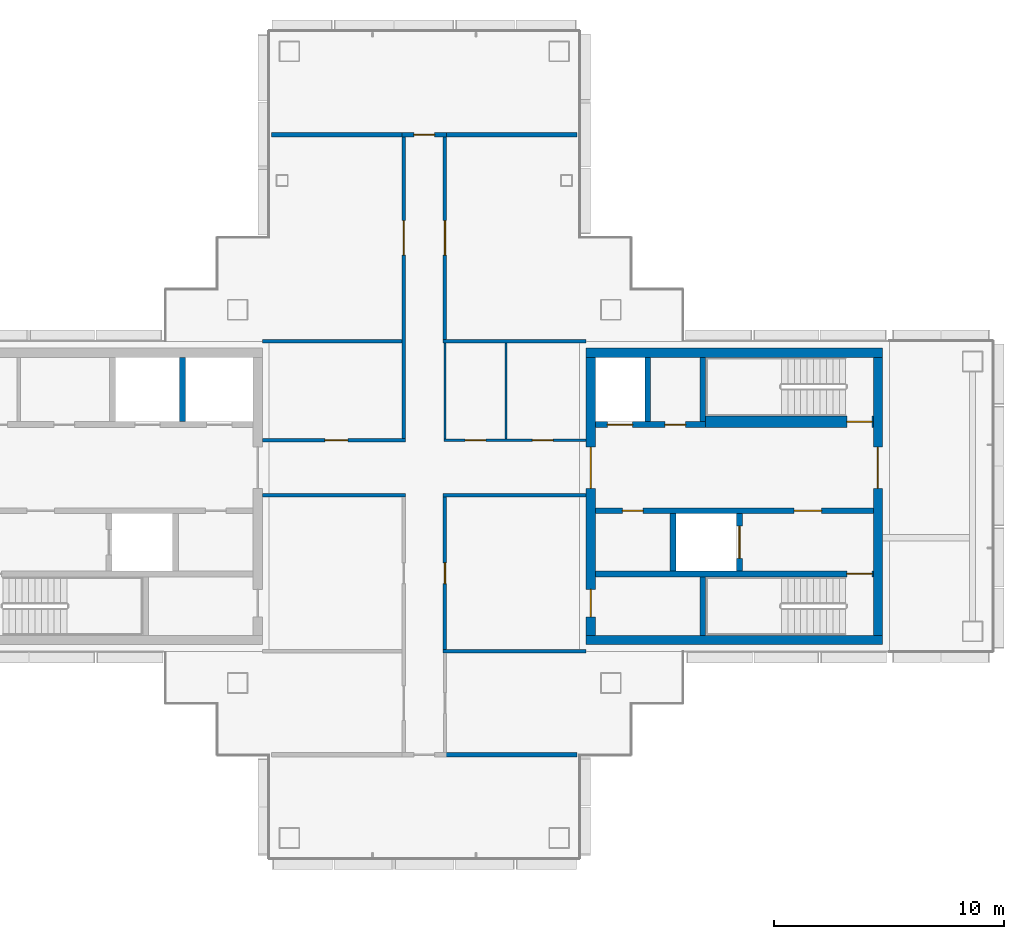
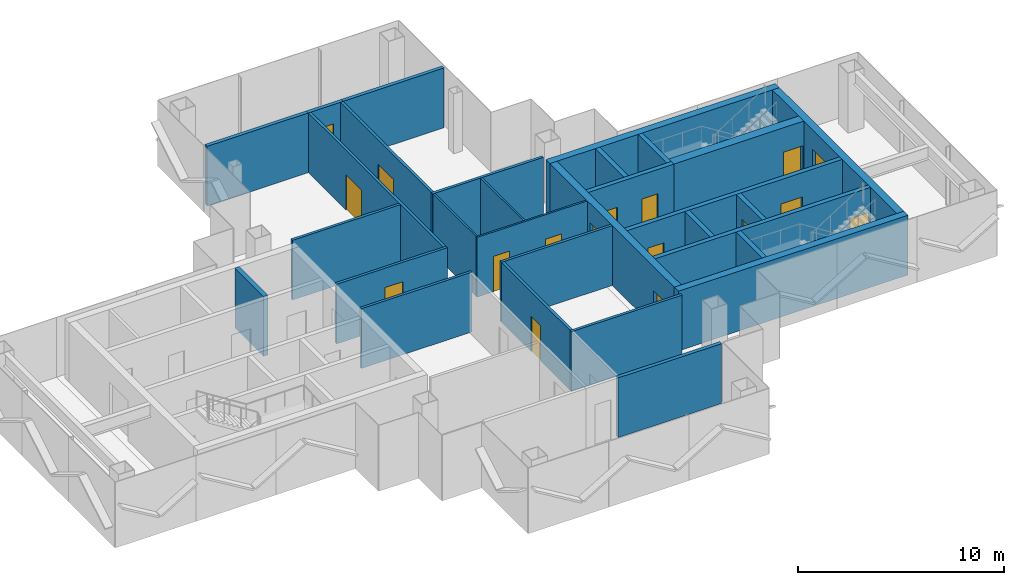
# One storey, part 12 of 17: 30 walls, 17 doors, 17 openings.
"""IFC4 building model written with IfcOpenShell, lengths in metres."""

import ifcopenshell
import ifcopenshell.guid

model = None  # the IFC model being written
_history = None  # IfcOwnerHistory: only IFC2X3 demands one
_inside = {}  # id of a spatial element -> (the spatial element, [elements in it])
_under = {}  # id of a project, library or spatial element -> (it, [spatial elements below it])
_declared = {}  # id of a project -> (the project, [libraries it declares])
_typed = {}  # id of a type object -> (the type object, [elements of that type])
_made_of = {}  # id of a material, layer set ... -> (it, [elements and type objects made of it])


def new_model(schema):
    """Start an empty IFC model of exactly this schema.

    Asked for "IFC4X3", IfcOpenShell would pick the latest addendum, in which some entities
    have other attributes; the version numbers below select the first issue.
    IFC2X3 requires an IfcOwnerHistory on every rooted entity: one is made here for all.
    """
    global model, _history
    if schema == "IFC4X3":
        model = ifcopenshell.file(schema_version=(4, 3, 0, 0))
    else:
        model = ifcopenshell.file(schema=schema)
    _inside.clear()
    _under.clear()
    _declared.clear()
    _typed.clear()
    _made_of.clear()
    _history = None
    if model.schema == "IFC2X3":
        org = make("IfcOrganization", Name="unknown")
        user = make(
            "IfcPersonAndOrganization",
            ThePerson=make("IfcPerson", FamilyName="unknown"),
            TheOrganization=org,
        )
        app = make(
            "IfcApplication",
            ApplicationDeveloper=org,
            Version="unknown",
            ApplicationFullName="unknown",
            ApplicationIdentifier="unknown",
        )
        _history = make(
            "IfcOwnerHistory",
            OwningUser=user,
            OwningApplication=app,
            ChangeAction="ADDED",
            CreationDate=0,
        )
    return model


def make(cls, **values):
    """One entity of the class cls with the attributes given. An attribute that is None is left unset."""
    return model.create_entity(
        cls, **{name: value for name, value in values.items() if value is not None}
    )


def rooted(cls, **values):
    """An entity with a GlobalId (a new one), such as an element, a storey or a relation."""
    return make(cls, GlobalId=ifcopenshell.guid.new(), OwnerHistory=_history, **values)


def si_unit(unit_type, name, prefix=None):
    """IfcSIUnit, for example si_unit("LENGTHUNIT", "METRE", prefix="MILLI")."""
    return make("IfcSIUnit", UnitType=unit_type, Prefix=prefix, Name=name)


def assignment(units):
    """IfcUnitAssignment: the units of a project."""
    return None if units is None else make("IfcUnitAssignment", Units=units)


def point(xyz):
    """IfcCartesianPoint."""
    return None if xyz is None else make("IfcCartesianPoint", Coordinates=xyz)


def direction(xyz):
    """IfcDirection."""
    return None if xyz is None else make("IfcDirection", DirectionRatios=xyz)


def frame(location, z_axis=None, x_axis=None):
    """IfcAxis2Placement3D, a coordinate frame: its origin and axes. An axis left out is left unset."""
    return make(
        "IfcAxis2Placement3D",
        Location=point(location),
        Axis=direction(z_axis),
        RefDirection=direction(x_axis),
    )


def frame_2d(location, x_axis=None):
    """IfcAxis2Placement2D, a coordinate frame in the plane: its origin and x axis."""
    return make(
        "IfcAxis2Placement2D", Location=point(location), RefDirection=direction(x_axis)
    )


def origin():
    """The frame at (0, 0, 0) with its axes left unset."""
    return frame((0.0, 0.0, 0.0))


def place(relative_to, where):
    """IfcLocalPlacement: puts the frame where relative to a parent placement (None: the world)."""
    return make(
        "IfcLocalPlacement", PlacementRelTo=relative_to, RelativePlacement=where
    )


def context(
    kind, dimensions, precision=None, world=None, true_north=None, identifier=None
):
    """IfcGeometricRepresentationContext, for example the 3D "Model" context."""
    return make(
        "IfcGeometricRepresentationContext",
        ContextIdentifier=identifier,
        ContextType=kind,
        CoordinateSpaceDimension=dimensions,
        Precision=precision,
        WorldCoordinateSystem=world,
        TrueNorth=true_north,
    )


def subcontext(parent, identifier, kind, view, scale=None):
    """IfcGeometricRepresentationSubContext, for example "Body" below "Model"."""
    return make(
        "IfcGeometricRepresentationSubContext",
        ContextIdentifier=identifier,
        ContextType=kind,
        ParentContext=parent,
        TargetScale=scale,
        TargetView=view,
    )


def project(units=None, contexts=None):
    """IfcProject with its units and contexts."""
    return rooted(
        "IfcProject",
        Name="project",
        RepresentationContexts=contexts,
        UnitsInContext=assignment(units),
    )


def spatial(cls, under=None, at=None, **own):
    """A site, building, storey or space (cls), placed at a placement, below another one or the project."""
    s = rooted(cls, ObjectPlacement=at, **own)
    if under is not None:
        _under.setdefault(under.id(), (under, []))[1].append(s)
    return s


def profile(cls, at=None, kind="AREA", **sizes):
    """A parametric profile (cls). Its sizes go by their IFC names, for example OverallWidth=200.0."""
    return make(cls, ProfileType=kind, Position=at, **sizes)


def rectangle(**sizes):
    """IfcRectangleProfileDef."""
    return profile("IfcRectangleProfileDef", **sizes)


def extrude(swept, where, along, depth):
    """IfcExtrudedAreaSolid: the profile swept, set in the frame where, extruded along a direction by depth."""
    return make(
        "IfcExtrudedAreaSolid",
        SweptArea=swept,
        Position=where,
        ExtrudedDirection=direction(along),
        Depth=depth,
    )


def shape(context_of_items, identifier, shape_type, items):
    """IfcShapeRepresentation: the items that make up one representation, for example the "Body"."""
    return make(
        "IfcShapeRepresentation",
        ContextOfItems=context_of_items,
        RepresentationIdentifier=identifier,
        RepresentationType=shape_type,
        Items=items,
    )


def material(Name=None, Category=None):
    """IfcMaterial."""
    return make("IfcMaterial", Name=Name, Category=Category)


def layer(
    of_material, thickness, ventilated=None, Name=None, Category=None, Priority=None
):
    """IfcMaterialLayer: one layer of a wall or slab, of a material (None: an air gap)."""
    return make(
        "IfcMaterialLayer",
        Material=of_material,
        LayerThickness=thickness,
        IsVentilated=ventilated,
        Name=Name,
        Category=Category,
        Priority=Priority,
    )


def layer_set(layers, Name=None):
    """IfcMaterialLayerSet."""
    return make("IfcMaterialLayerSet", MaterialLayers=layers, LayerSetName=Name)


def made_of(thing, what):
    """Note that an element or type object is made of a material, layer set ...; save() writes the relation."""
    if what is not None:
        _made_of.setdefault(what.id(), (what, []))[1].append(thing)
    return thing


def type_object(cls, material=None, **own):
    """A type object (cls), such as IfcWallType, which elements share."""
    return made_of(rooted(cls, **own), material)


def element(
    cls,
    number,
    at=None,
    inside=None,
    cuts=None,
    type_object=None,
    material=None,
    context=None,
    identifier="Body",
    shape_type=None,
    held_by="IfcProductDefinitionShape",
    body=None,
    shapes=None,
    **own,
):
    """One element of the class cls, such as IfcWall. Its Tag is "e" and its number.

    at: its placement. inside: the storey or other place that contains it. cuts: it is an
    opening in that element (IfcRelVoidsElement). A single representation is given by context,
    identifier, shape_type and body (its items); several are given by shapes. held_by: the class
    of the entity that holds the representations. save() writes the other relations.
    """
    e = rooted(cls, Tag="e%d" % number, ObjectPlacement=at, **own)
    if body is not None:
        shapes = [shape(context, identifier, shape_type, body)]
    if shapes is not None:
        e.Representation = make(held_by, Representations=shapes)
    if inside is not None:
        _inside.setdefault(inside.id(), (inside, []))[1].append(e)
    if cuts is not None:
        rooted(
            "IfcRelVoidsElement", RelatingBuildingElement=cuts, RelatedOpeningElement=e
        )
    if type_object is not None:
        _typed.setdefault(type_object.id(), (type_object, []))[1].append(e)
    return made_of(e, material)


def fill(opening, filler):
    """IfcRelFillsElement: the door or window that sits in an opening."""
    return rooted(
        "IfcRelFillsElement",
        RelatingOpeningElement=opening,
        RelatedBuildingElement=filler,
    )


def aggregate(whole, parts):
    """IfcRelAggregates: a whole, such as a stair, and the parts it consists of."""
    return rooted("IfcRelAggregates", RelatingObject=whole, RelatedObjects=parts)


def save(model, path):
    """Write the relations noted so far, then the file.

    IfcRelAggregates (storeys below a building ...), IfcRelContainedInSpatialStructure (elements
    in a storey), IfcRelDefinesByType, IfcRelAssociatesMaterial and IfcRelDeclares: one each for
    every whole, place, type object, material and project.
    """
    for whole, parts in _under.values():
        aggregate(whole, parts)
    for where, things in _inside.values():
        rooted(
            "IfcRelContainedInSpatialStructure",
            RelatedElements=things,
            RelatingStructure=where,
        )
    for kind, things in _typed.values():
        rooted("IfcRelDefinesByType", RelatedObjects=things, RelatingType=kind)
    for what, things in _made_of.values():
        rooted("IfcRelAssociatesMaterial", RelatedObjects=things, RelatingMaterial=what)
    for by, libraries in _declared.values():
        rooted("IfcRelDeclares", RelatingContext=by, RelatedDefinitions=libraries)
    model.write(path)


model = new_model("IFC4")

# Units and contexts
model_context = context("Model", 3, precision=1e-05, world=origin(), true_north=direction((0.0, 1.0)))
body_context = subcontext(model_context, "Body", "Model", "MODEL_VIEW")
ifc_project = project(units=[si_unit("LENGTHUNIT", "METRE"), si_unit("AREAUNIT", "SQUARE_METRE"), si_unit("VOLUMEUNIT", "CUBIC_METRE"), si_unit("PLANEANGLEUNIT", "RADIAN"), si_unit("MASSUNIT", "GRAM", prefix="KILO")], contexts=[model_context])

# Site, building, storey
site_placement = place(None, origin())
site = spatial("IfcSite", under=ifc_project, at=site_placement, CompositionType="ELEMENT")
building_placement = place(site_placement, origin())
building = spatial("IfcBuilding", under=site, at=building_placement, Name="Shamsa Quay Exchange Towers", CompositionType="ELEMENT")
storey_placement = place(building_placement, frame((0.0, 0.0, 249.89990234375)))
storey = spatial("IfcBuildingStorey", under=building, at=storey_placement, Name="L60", CompositionType="ELEMENT", Elevation=249.89990234375)

# Wall, opening, door
ifc_material_1 = material(Name="Double-leaf gypsum board partition with acoustic insulation")
ifc_layer_1 = layer(ifc_material_1, 0.199951171875)
ifc_layer_set_1 = layer_set([ifc_layer_1], Name="Acoustic partition 200 mm EI 60")
wall_type_1 = type_object("IfcWallType", Name="Acoustic partition 200 mm EI 60", PredefinedType="PARTITIONING", material=ifc_layer_set_1)
wall_1_placement = place(storey_placement, frame((32.774658203125, 15.75, 0.0)))
wall_1 = element("IfcWall", 1, at=wall_1_placement, inside=storey, type_object=wall_type_1, Name="Partition T2-R27-W10", PredefinedType="PARTITIONING", context=body_context, shape_type="SweptSolid", body=[
    extrude(rectangle(XDim=1.95068359375, YDim=0.199951171875, at=frame_2d((0.975341796875, 0.0))), origin(), (0.0, 0.0, 1.0), 3.550048828125),
])
opening_1_placement = place(wall_1_placement, frame((0.525390625, 0.0, 0.0)))
opening_1 = element("IfcOpeningElement", 2, at=opening_1_placement, cuts=wall_1, Name="Opening T2-R27-D06", PredefinedType="OPENING", context=body_context, shape_type="SweptSolid", body=[
    extrude(rectangle(XDim=0.89990234375, YDim=2.39990234375, at=frame_2d((0.449951171875, 1.199951171875))), frame((0.0, 0.10986328125, 0.0), z_axis=(0.0, -1.0, 0.0), x_axis=(1.0, 0.0, 0.0)), (0.0, 0.0, 1.0), 0.219970703125),
])
ifc_material_2 = material(Name="Timber door leaf in a metal frame", Category="wood")
door_type_1 = type_object("IfcDoorType", Name="Door 900x2400 FD30S", OperationType="NOTDEFINED", PredefinedType="DOOR", material=ifc_material_2)
door_1_placement = place(opening_1_placement, origin())
door_1 = element("IfcDoor", 3, at=door_1_placement, inside=storey, type_object=door_type_1, Name="Door T2-R27-D06", OperationType="SINGLE_SWING_RIGHT", OverallHeight=2.39990234375, OverallWidth=0.89990234375, PredefinedType="DOOR", context=body_context, shape_type="SweptSolid", body=[
    extrude(rectangle(XDim=0.89990234375, YDim=2.39990234375, at=frame_2d((0.449951171875, 1.199951171875))), frame((0.0, 0.02490234375, 0.0), z_axis=(0.0, -1.0, 0.0), x_axis=(1.0, 0.0, 0.0)), (0.0, 0.0, 1.0), 0.050048828125),
])
fill(opening_1, door_1)

# Walls
for number, where, z_axis, x_axis, name in (
    (4, (32.924560546875, 15.75, 0.0), (0.0, 0.0, 1.0), (-1.0, 0.0, 0.0), "Partition T2-R27-W18"),
    (5, (40.405029296875, 15.75, 0.0), (0.0, 0.0, 1.0), (-1.0, 0.0, 0.0), "Partition T2-R27-W19"),
):
    element("IfcWall", number, at=place(storey_placement, frame(where, z_axis=z_axis, x_axis=x_axis)), inside=storey, type_object=wall_type_1, Name=name, PredefinedType="PARTITIONING", context=body_context, shape_type="SweptSolid", body=[
        extrude(rectangle(XDim=5.82958984375, YDim=0.199951171875, at=frame_2d((2.914794921875, 0.0))), origin(), (0.0, 0.0, 1.0), 3.550048828125),
    ])
wall_2_placement = place(storey_placement, frame((34.587890625, -11.25, 0.0)))
element("IfcWall", 6, at=wall_2_placement, inside=storey, type_object=wall_type_1, Name="Partition T2-R27-W20", PredefinedType="PARTITIONING", context=body_context, shape_type="SweptSolid", body=[
    extrude(rectangle(XDim=5.817138671875, YDim=0.199951171875, at=frame_2d((2.90869140625, 0.0))), origin(), (0.0, 0.0, 1.0), 3.550048828125),
])
ifc_material_3 = material(Name="Concrete C60/75", Category="concrete")
ifc_layer_2 = layer(ifc_material_3, 0.39990234375)
ifc_layer_set_2 = layer_set([ifc_layer_2], Name="CORE WALL 400 C60/75")
wall_type_2 = type_object("IfcWallType", Name="CORE WALL 400 C60/75", PredefinedType="SHEAR", material=ifc_layer_set_2)
for number, where, z_axis, x_axis, name in (
    (7, (53.699951171875, -6.25, 0.0), (0.0, 0.0, 1.0), (-1.0, 0.0, 0.0), "Core wall T2B-R27-PS"),
    (8, (53.699951171875, 6.25, 0.0), (0.0, 0.0, 1.0), (-1.0, 0.0, 0.0), "Core wall T2B-R27-PN"),
):
    element("IfcWall", number, at=place(storey_placement, frame(where, z_axis=z_axis, x_axis=x_axis)), inside=storey, type_object=wall_type_2, Name=name, PredefinedType="SHEAR", context=body_context, shape_type="SweptSolid", body=[
        extrude(rectangle(XDim=12.89990234375, YDim=0.39990234375, at=frame_2d((6.449951171875, 0.0))), origin(), (0.0, 0.0, 1.0), 3.550048828125),
    ])

# Wall, opening, door
wall_3_placement = place(storey_placement, frame((53.5, -6.050048828125, 0.0), z_axis=(0.0, 0.0, 1.0), x_axis=(0.0, 1.0, 0.0)))
wall_3 = element("IfcWall", 9, at=wall_3_placement, inside=storey, type_object=wall_type_2, Name="Core wall T2B-R27-PF", PredefinedType="SHEAR", context=body_context, shape_type="SweptSolid", body=[
    extrude(rectangle(XDim=12.10009765625, YDim=0.39990234375, at=frame_2d((6.050048828125, 0.0))), origin(), (0.0, 0.0, 1.0), 3.550048828125),
])
opening_2_placement = place(wall_3_placement, frame((6.39990234375, 0.0, 0.0)))
opening_2 = element("IfcOpeningElement", 10, at=opening_2_placement, cuts=wall_3, Name="Opening T2B-R27-LBD01", PredefinedType="OPENING", context=body_context, shape_type="SweptSolid", body=[
    extrude(rectangle(XDim=1.800048828125, YDim=2.39990234375, at=frame_2d((0.89990234375, 1.199951171875))), frame((0.0, 0.2099609375, 0.0), z_axis=(0.0, -1.0, 0.0), x_axis=(1.0, 0.0, 0.0)), (0.0, 0.0, 1.0), 0.419921875),
])
ifc_material_4 = material(Name="Steel, fire rated", Category="steel")
door_type_2 = type_object("IfcDoorType", Name="LIFT LOBBY DOOR PAIR 1800", OperationType="DOUBLE_DOOR_SINGLE_SWING", PredefinedType="DOOR", material=ifc_material_4)
door_2_placement = place(opening_2_placement, origin())
door_2 = element("IfcDoor", 11, at=door_2_placement, inside=storey, type_object=door_type_2, Name="T2B-R27-LBD01", OperationType="DOUBLE_DOOR_SINGLE_SWING", OverallHeight=2.39990234375, OverallWidth=1.800048828125, PredefinedType="DOOR", context=body_context, shape_type="SweptSolid", body=[
    extrude(rectangle(XDim=1.800048828125, YDim=2.39990234375, at=frame_2d((0.89990234375, 1.199951171875))), frame((0.0, 0.02490234375, 0.0), z_axis=(0.0, -1.0, 0.0), x_axis=(1.0, 0.0, 0.0)), (0.0, 0.0, 1.0), 0.050048828125),
])
fill(opening_2, door_2)

# Wall, openings, doors
wall_4_placement = place(storey_placement, frame((41.0, -6.050048828125, 0.0), z_axis=(0.0, 0.0, 1.0), x_axis=(0.0, 1.0, 0.0)))
wall_4 = element("IfcWall", 12, at=wall_4_placement, inside=storey, type_object=wall_type_2, Name="Core wall T2B-R27-PB", PredefinedType="SHEAR", context=body_context, shape_type="SweptSolid", body=[
    extrude(rectangle(XDim=12.10009765625, YDim=0.39990234375, at=frame_2d((6.050048828125, 0.0))), origin(), (0.0, 0.0, 1.0), 3.550048828125),
])
opening_3_placement = place(wall_4_placement, frame((0.800048828125, 0.0, 0.0)))
opening_3 = element("IfcOpeningElement", 13, at=opening_3_placement, cuts=wall_4, Name="Opening T2B-R27-RD02", PredefinedType="OPENING", context=body_context, shape_type="SweptSolid", body=[
    extrude(rectangle(XDim=1.199951171875, YDim=2.10009765625, at=frame_2d((0.60009765625, 1.050048828125))), frame((0.0, 0.2099609375, 0.0), z_axis=(0.0, -1.0, 0.0), x_axis=(1.0, 0.0, 0.0)), (0.0, 0.0, 1.0), 0.419921875),
])
opening_4_placement = place(wall_4_placement, frame((6.39990234375, 0.0, 0.0)))
opening_4 = element("IfcOpeningElement", 14, at=opening_4_placement, cuts=wall_4, Name="Opening T2B-R27-LBD03", PredefinedType="OPENING", context=body_context, shape_type="SweptSolid", body=[
    extrude(rectangle(XDim=1.800048828125, YDim=2.39990234375, at=frame_2d((0.89990234375, 1.199951171875))), frame((0.0, 0.2099609375, 0.0), z_axis=(0.0, -1.0, 0.0), x_axis=(1.0, 0.0, 0.0)), (0.0, 0.0, 1.0), 0.419921875),
])
door_3_placement = place(opening_4_placement, origin())
door_3 = element("IfcDoor", 15, at=door_3_placement, inside=storey, type_object=door_type_2, Name="T2B-R27-LBD03", OperationType="DOUBLE_DOOR_SINGLE_SWING", OverallHeight=2.39990234375, OverallWidth=1.800048828125, PredefinedType="DOOR", context=body_context, shape_type="SweptSolid", body=[
    extrude(rectangle(XDim=1.800048828125, YDim=2.39990234375, at=frame_2d((0.89990234375, 1.199951171875))), frame((0.0, 0.02490234375, 0.0), z_axis=(0.0, -1.0, 0.0), x_axis=(1.0, 0.0, 0.0)), (0.0, 0.0, 1.0), 0.050048828125),
])
fill(opening_4, door_3)
door_type_3 = type_object("IfcDoorType", Name="RISER ACCESS DOOR 1200", OperationType="SINGLE_SWING_LEFT", PredefinedType="DOOR", material=ifc_material_4)
door_4_placement = place(opening_3_placement, origin())
door_4 = element("IfcDoor", 16, at=door_4_placement, inside=storey, type_object=door_type_3, Name="T2B-R27-RD02", OperationType="SINGLE_SWING_LEFT", OverallHeight=2.10009765625, OverallWidth=1.199951171875, PredefinedType="DOOR", context=body_context, shape_type="SweptSolid", body=[
    extrude(rectangle(XDim=1.199951171875, YDim=2.10009765625, at=frame_2d((0.60009765625, 1.050048828125))), frame((0.0, 0.02490234375, 0.0), z_axis=(0.0, -1.0, 0.0), x_axis=(1.0, 0.0, 0.0)), (0.0, 0.0, 1.0), 0.050048828125),
])
fill(opening_3, door_4)

ifc_material_5 = material(Name="Gypsum board partition on metal studs")
ifc_layer_3 = layer(ifc_material_5, 0.10009765625)
ifc_layer_set_3 = layer_set([ifc_layer_3], Name="Partition 100 mm NOT RATED")
wall_type_3 = type_object("IfcWallType", Name="Partition 100 mm NOT RATED", PredefinedType="PARTITIONING", material=ifc_layer_set_3)
wall_5_placement = place(storey_placement, frame((34.600341796875, 2.4501953125, 0.0)))
wall_5 = element("IfcWall", 17, at=wall_5_placement, inside=storey, type_object=wall_type_3, Name="Partition T2-R27-W06", PredefinedType="PARTITIONING", context=body_context, shape_type="SweptSolid", body=[
    extrude(rectangle(XDim=6.19970703125, YDim=0.10009765625, at=frame_2d((3.099853515625, 0.0))), origin(), (0.0, 0.0, 1.0), 3.550048828125),
])
opening_5_placement = place(wall_5_placement, frame((3.85595703125, 0.0, 0.0)))
opening_5 = element("IfcOpeningElement", 18, at=opening_5_placement, cuts=wall_5, Name="Opening T2-R27-D01", PredefinedType="OPENING", context=body_context, shape_type="SweptSolid", body=[
    extrude(rectangle(XDim=0.89990234375, YDim=2.10009765625, at=frame_2d((0.449951171875, 1.050048828125))), frame((0.0, 0.06005859375, 0.0), z_axis=(0.0, -1.0, 0.0), x_axis=(1.0, 0.0, 0.0)), (0.0, 0.0, 1.0), 0.1201171875),
])
opening_6_placement = place(wall_5_placement, frame((0.93115234375, 0.0, 0.0)))
opening_6 = element("IfcOpeningElement", 19, at=opening_6_placement, cuts=wall_5, Name="Opening T2-R27-D02", PredefinedType="OPENING", context=body_context, shape_type="SweptSolid", body=[
    extrude(rectangle(XDim=0.89990234375, YDim=2.10009765625, at=frame_2d((0.449951171875, 1.050048828125))), frame((0.0, 0.06005859375, 0.0), z_axis=(0.0, -1.0, 0.0), x_axis=(1.0, 0.0, 0.0)), (0.0, 0.0, 1.0), 0.1201171875),
])
door_type_4 = type_object("IfcDoorType", Name="Door 900x2100 NOT RATED", OperationType="NOTDEFINED", PredefinedType="DOOR", material=ifc_material_2)
door_5_placement = place(opening_5_placement, origin())
door_5 = element("IfcDoor", 20, at=door_5_placement, inside=storey, type_object=door_type_4, Name="Door T2-R27-D01", OperationType="SINGLE_SWING_RIGHT", OverallHeight=2.10009765625, OverallWidth=0.89990234375, PredefinedType="DOOR", context=body_context, shape_type="SweptSolid", body=[
    extrude(rectangle(XDim=0.89990234375, YDim=2.10009765625, at=frame_2d((0.449951171875, 1.050048828125))), frame((0.0, 0.02490234375, 0.0), z_axis=(0.0, -1.0, 0.0), x_axis=(1.0, 0.0, 0.0)), (0.0, 0.0, 1.0), 0.050048828125),
])
fill(opening_5, door_5)
door_6_placement = place(opening_6_placement, origin())
door_6 = element("IfcDoor", 21, at=door_6_placement, inside=storey, type_object=door_type_4, Name="Door T2-R27-D02", OperationType="SINGLE_SWING_RIGHT", OverallHeight=2.10009765625, OverallWidth=0.89990234375, PredefinedType="DOOR", context=body_context, shape_type="SweptSolid", body=[
    extrude(rectangle(XDim=0.89990234375, YDim=2.10009765625, at=frame_2d((0.449951171875, 1.050048828125))), frame((0.0, 0.02490234375, 0.0), z_axis=(0.0, -1.0, 0.0), x_axis=(1.0, 0.0, 0.0)), (0.0, 0.0, 1.0), 0.050048828125),
])
fill(opening_6, door_6)

# Walls
for number, where, z_axis, x_axis, name in (
    (22, (34.650390625, 6.675048828125, 0.0), (0.0, 0.0, 1.0), (0.0, -1.0, 0.0), "Partition T2-R27-W07"),
    (23, (37.3125, 6.675048828125, 0.0), (0.0, 0.0, 1.0), (0.0, -1.0, 0.0), "Partition T2-R27-W17"),
):
    element("IfcWall", number, at=place(storey_placement, frame(where, z_axis=z_axis, x_axis=x_axis)), inside=storey, type_object=wall_type_3, Name=name, PredefinedType="PARTITIONING", context=body_context, shape_type="SweptSolid", body=[
        extrude(rectangle(XDim=4.1748046875, YDim=0.10009765625, at=frame_2d((2.08740234375, 0.0))), origin(), (0.0, 0.0, 1.0), 3.550048828125),
    ])

# Wall, opening, door
ifc_layer_4 = layer(ifc_material_5, 0.14990234375)
ifc_layer_set_4 = layer_set([ifc_layer_4], Name="Partition 150 mm EI 60")
wall_type_4 = type_object("IfcWallType", Name="Partition 150 mm EI 60", PredefinedType="PARTITIONING", material=ifc_layer_set_4)
wall_6_placement = place(storey_placement, frame((32.849609375, 2.525146484375, 0.0), z_axis=(0.0, 0.0, 1.0), x_axis=(0.0, 1.0, 0.0)))
wall_6 = element("IfcWall", 24, at=wall_6_placement, inside=storey, type_object=wall_type_4, Name="Partition T2-R27-W01", PredefinedType="PARTITIONING", context=body_context, shape_type="SweptSolid", body=[
    extrude(rectangle(XDim=13.124755859375, YDim=0.14990234375, at=frame_2d((6.5625, 0.0))), origin(), (0.0, 0.0, 1.0), 3.550048828125),
])
opening_7_placement = place(wall_6_placement, frame((7.974853515625, 0.0, 0.0)))
opening_7 = element("IfcOpeningElement", 25, at=opening_7_placement, cuts=wall_6, Name="Opening T2-R27-D11", PredefinedType="OPENING", context=body_context, shape_type="SweptSolid", body=[
    extrude(rectangle(XDim=1.5, YDim=2.10009765625, at=frame_2d((0.75, 1.050048828125))), frame((0.0, 0.0849609375, 0.0), z_axis=(0.0, -1.0, 0.0), x_axis=(1.0, 0.0, 0.0)), (0.0, 0.0, 1.0), 0.169921875),
])
door_type_5 = type_object("IfcDoorType", Name="Door 1500x2100 FD30S pair", OperationType="NOTDEFINED", PredefinedType="DOOR", material=ifc_material_2)
door_7_placement = place(opening_7_placement, origin())
door_7 = element("IfcDoor", 26, at=door_7_placement, inside=storey, type_object=door_type_5, Name="Door T2-R27-D11", OperationType="DOUBLE_DOOR_SINGLE_SWING", OverallHeight=2.10009765625, OverallWidth=1.5, PredefinedType="DOOR", context=body_context, shape_type="SweptSolid", body=[
    extrude(rectangle(XDim=1.5, YDim=2.10009765625, at=frame_2d((0.75, 1.050048828125))), frame((0.0, 0.02490234375, 0.0), z_axis=(0.0, -1.0, 0.0), x_axis=(1.0, 0.0, 0.0)), (0.0, 0.0, 1.0), 0.050048828125),
])
fill(opening_7, door_7)

wall_7_placement = place(storey_placement, frame((26.699951171875, 2.4501953125, 0.0)))
wall_7 = element("IfcWall", 27, at=wall_7_placement, inside=storey, type_object=wall_type_4, Name="Partition T2-R27-W03", PredefinedType="PARTITIONING", context=body_context, shape_type="SweptSolid", body=[
    extrude(rectangle(XDim=6.224609375, YDim=0.14990234375, at=frame_2d((3.1123046875, 0.0))), origin(), (0.0, 0.0, 1.0), 3.550048828125),
])
opening_8_placement = place(wall_7_placement, frame((2.724853515625, 0.0, 0.0)))
opening_8 = element("IfcOpeningElement", 28, at=opening_8_placement, cuts=wall_7, Name="Opening T2-R27-D10", PredefinedType="OPENING", context=body_context, shape_type="SweptSolid", body=[
    extrude(rectangle(XDim=1.0, YDim=2.39990234375, at=frame_2d((0.5, 1.199951171875))), frame((0.0, 0.0849609375, 0.0), z_axis=(0.0, -1.0, 0.0), x_axis=(1.0, 0.0, 0.0)), (0.0, 0.0, 1.0), 0.169921875),
])
door_type_6 = type_object("IfcDoorType", Name="Door 1000x2400 FD30S", OperationType="NOTDEFINED", PredefinedType="DOOR", material=ifc_material_2)
door_8_placement = place(opening_8_placement, origin())
door_8 = element("IfcDoor", 29, at=door_8_placement, inside=storey, type_object=door_type_6, Name="Door T2-R27-D10", OperationType="SINGLE_SWING_LEFT", OverallHeight=2.39990234375, OverallWidth=1.0, PredefinedType="DOOR", context=body_context, shape_type="SweptSolid", body=[
    extrude(rectangle(XDim=1.0, YDim=2.39990234375, at=frame_2d((0.5, 1.199951171875))), frame((0.0, 0.02490234375, 0.0), z_axis=(0.0, -1.0, 0.0), x_axis=(1.0, 0.0, 0.0)), (0.0, 0.0, 1.0), 0.050048828125),
])
fill(opening_8, door_8)

# Walls
for number, where, z_axis, x_axis, name in (
    (30, (32.924560546875, 0.0498046875, 0.0), (0.0, 0.0, 1.0), (-1.0, 0.0, 0.0), "Partition T2-R27-W04"),
    (31, (40.800048828125, 0.0498046875, 0.0), (0.0, 0.0, 1.0), (-1.0, 0.0, 0.0), "Partition T2-R27-W05"),
):
    element("IfcWall", number, at=place(storey_placement, frame(where, z_axis=z_axis, x_axis=x_axis)), inside=storey, type_object=wall_type_4, Name=name, PredefinedType="PARTITIONING", context=body_context, shape_type="SweptSolid", body=[
        extrude(rectangle(XDim=6.224609375, YDim=0.14990234375, at=frame_2d((3.1123046875, 0.0))), origin(), (0.0, 0.0, 1.0), 3.550048828125),
    ])

# Wall, opening, door
wall_8_placement = place(storey_placement, frame((34.650390625, -0.025146484375, 0.0), z_axis=(0.0, 0.0, 1.0), x_axis=(0.0, -1.0, 0.0)))
wall_8 = element("IfcWall", 32, at=wall_8_placement, inside=storey, type_object=wall_type_4, Name="Partition T2-R27-W08", PredefinedType="PARTITIONING", context=body_context, shape_type="SweptSolid", body=[
    extrude(rectangle(XDim=6.64990234375, YDim=0.14990234375, at=frame_2d((3.324951171875, 0.0))), origin(), (0.0, 0.0, 1.0), 3.550048828125),
])
opening_9_placement = place(wall_8_placement, frame((2.875, 0.0, 0.0)))
opening_9 = element("IfcOpeningElement", 33, at=opening_9_placement, cuts=wall_8, Name="Opening T2-R27-D04", PredefinedType="OPENING", context=body_context, shape_type="SweptSolid", body=[
    extrude(rectangle(XDim=0.89990234375, YDim=2.10009765625, at=frame_2d((0.449951171875, 1.050048828125))), frame((0.0, 0.0849609375, 0.0), z_axis=(0.0, -1.0, 0.0), x_axis=(1.0, 0.0, 0.0)), (0.0, 0.0, 1.0), 0.169921875),
])
door_type_7 = type_object("IfcDoorType", Name="Door 900x2100 FD30S", OperationType="NOTDEFINED", PredefinedType="DOOR", material=ifc_material_2)
door_9_placement = place(opening_9_placement, origin())
door_9 = element("IfcDoor", 34, at=door_9_placement, inside=storey, type_object=door_type_7, Name="Door T2-R27-D04", OperationType="SINGLE_SWING_LEFT", OverallHeight=2.10009765625, OverallWidth=0.89990234375, PredefinedType="DOOR", context=body_context, shape_type="SweptSolid", body=[
    extrude(rectangle(XDim=0.89990234375, YDim=2.10009765625, at=frame_2d((0.449951171875, 1.050048828125))), frame((0.0, 0.02490234375, 0.0), z_axis=(0.0, -1.0, 0.0), x_axis=(1.0, 0.0, 0.0)), (0.0, 0.0, 1.0), 0.050048828125),
])
fill(opening_9, door_9)

wall_9_placement = place(storey_placement, frame((34.650390625, 15.64990234375, 0.0), z_axis=(0.0, 0.0, 1.0), x_axis=(0.0, -1.0, 0.0)))
wall_9 = element("IfcWall", 35, at=wall_9_placement, inside=storey, type_object=wall_type_4, Name="Partition T2-R27-W09", PredefinedType="PARTITIONING", context=body_context, shape_type="SweptSolid", body=[
    extrude(rectangle(XDim=8.824951171875, YDim=0.14990234375, at=frame_2d((4.41259765625, 0.0))), origin(), (0.0, 0.0, 1.0), 3.550048828125),
])
opening_10_placement = place(wall_9_placement, frame((3.64990234375, 0.0, 0.0)))
opening_10 = element("IfcOpeningElement", 36, at=opening_10_placement, cuts=wall_9, Name="Opening T2-R27-D05", PredefinedType="OPENING", context=body_context, shape_type="SweptSolid", body=[
    extrude(rectangle(XDim=1.5, YDim=2.10009765625, at=frame_2d((0.75, 1.050048828125))), frame((0.0, 0.0849609375, 0.0), z_axis=(0.0, -1.0, 0.0), x_axis=(1.0, 0.0, 0.0)), (0.0, 0.0, 1.0), 0.169921875),
])
door_10_placement = place(opening_10_placement, origin())
door_10 = element("IfcDoor", 37, at=door_10_placement, inside=storey, type_object=door_type_5, Name="Door T2-R27-D05", OperationType="DOUBLE_DOOR_SINGLE_SWING", OverallHeight=2.10009765625, OverallWidth=1.5, PredefinedType="DOOR", context=body_context, shape_type="SweptSolid", body=[
    extrude(rectangle(XDim=1.5, YDim=2.10009765625, at=frame_2d((0.75, 1.050048828125))), frame((0.0, 0.02490234375, 0.0), z_axis=(0.0, -1.0, 0.0), x_axis=(1.0, 0.0, 0.0)), (0.0, 0.0, 1.0), 0.050048828125),
])
fill(opening_10, door_10)

# Walls
wall_10_placement = place(storey_placement, frame((32.774658203125, 6.75, 0.0), z_axis=(0.0, 0.0, 1.0), x_axis=(-1.0, 0.0, 0.0)))
element("IfcWall", 38, at=wall_10_placement, inside=storey, type_object=wall_type_4, Name="Partition T2-R27-W13", PredefinedType="PARTITIONING", context=body_context, shape_type="SweptSolid", body=[
    extrude(rectangle(XDim=6.07470703125, YDim=0.14990234375, at=frame_2d((3.037353515625, 0.0))), origin(), (0.0, 0.0, 1.0), 3.550048828125),
])
wall_11_placement = place(storey_placement, frame((40.800048828125, 6.75, 0.0), z_axis=(0.0, 0.0, 1.0), x_axis=(-1.0, 0.0, 0.0)))
element("IfcWall", 39, at=wall_11_placement, inside=storey, type_object=wall_type_4, Name="Partition T2-R27-W14", PredefinedType="PARTITIONING", context=body_context, shape_type="SweptSolid", body=[
    extrude(rectangle(XDim=6.224609375, YDim=0.14990234375, at=frame_2d((3.1123046875, 0.0))), origin(), (0.0, 0.0, 1.0), 3.550048828125),
])
wall_12_placement = place(storey_placement, frame((34.575439453125, -6.75, 0.0)))
element("IfcWall", 40, at=wall_12_placement, inside=storey, type_object=wall_type_4, Name="Partition T2-R27-W15", PredefinedType="PARTITIONING", context=body_context, shape_type="SweptSolid", body=[
    extrude(rectangle(XDim=6.224609375, YDim=0.14990234375, at=frame_2d((3.1123046875, 0.0))), origin(), (0.0, 0.0, 1.0), 3.550048828125),
])
ifc_material_6 = material(Name="Concrete C50/60", Category="concrete")
ifc_layer_5 = layer(ifc_material_6, 0.25)
ifc_layer_set_5 = layer_set([ifc_layer_5], Name="SHAFT WALL 250 C50/60")
wall_type_5 = type_object("IfcWallType", Name="SHAFT WALL 250 C50/60", PredefinedType="SHEAR", material=ifc_layer_set_5)
wall_13_placement = place(storey_placement, frame((23.22509765625, 3.25, 0.0), z_axis=(0.0, 0.0, 1.0), x_axis=(0.0, 1.0, 0.0)))
element("IfcWall", 41, at=wall_13_placement, inside=storey, type_object=wall_type_5, Name="Shaft wall T2A-R27-D2", PredefinedType="SHEAR", context=body_context, shape_type="SweptSolid", body=[
    extrude(rectangle(XDim=2.800048828125, YDim=0.25, at=frame_2d((1.39990234375, 0.0))), origin(), (0.0, 0.0, 1.0), 3.550048828125),
])

# Wall, opening, door
wall_14_placement = place(storey_placement, frame((53.300048828125, -3.375, 0.0), z_axis=(0.0, 0.0, 1.0), x_axis=(-1.0, 0.0, 0.0)))
wall_14 = element("IfcWall", 42, at=wall_14_placement, inside=storey, type_object=wall_type_5, Name="Shaft wall T2B-R27-STL", PredefinedType="SHEAR", context=body_context, shape_type="SweptSolid", body=[
    extrude(rectangle(XDim=12.10009765625, YDim=0.25, at=frame_2d((6.050048828125, 0.0))), origin(), (0.0, 0.0, 1.0), 3.550048828125),
])
opening_11_placement = place(wall_14_placement, frame((0.050048828125, 0.0, 0.0)))
opening_11 = element("IfcOpeningElement", 43, at=opening_11_placement, cuts=wall_14, Name="Opening T2B-R27-SD04", PredefinedType="OPENING", context=body_context, shape_type="SweptSolid", body=[
    extrude(rectangle(XDim=1.10009765625, YDim=2.10009765625, at=frame_2d((0.550048828125, 1.050048828125))), frame((0.0, 0.135009765625, 0.0), z_axis=(0.0, -1.0, 0.0), x_axis=(1.0, 0.0, 0.0)), (0.0, 0.0, 1.0), 0.27001953125),
])
door_type_8 = type_object("IfcDoorType", Name="STAIR DOOR 1100", OperationType="SINGLE_SWING_LEFT", PredefinedType="DOOR", material=ifc_material_4)
door_11_placement = place(opening_11_placement, origin())
door_11 = element("IfcDoor", 44, at=door_11_placement, inside=storey, type_object=door_type_8, Name="T2B-R27-SD04", OperationType="SINGLE_SWING_LEFT", OverallHeight=2.10009765625, OverallWidth=1.10009765625, PredefinedType="DOOR", context=body_context, shape_type="SweptSolid", body=[
    extrude(rectangle(XDim=1.10009765625, YDim=2.10009765625, at=frame_2d((0.550048828125, 1.050048828125))), frame((0.0, 0.02490234375, 0.0), z_axis=(0.0, -1.0, 0.0), x_axis=(1.0, 0.0, 0.0)), (0.0, 0.0, 1.0), 0.050048828125),
])
fill(opening_11, door_11)

# Wall
wall_15_placement = place(storey_placement, frame((45.875, -6.050048828125, 0.0), z_axis=(0.0, 0.0, 1.0), x_axis=(0.0, 1.0, 0.0)))
element("IfcWall", 45, at=wall_15_placement, inside=storey, type_object=wall_type_5, Name="Shaft wall T2B-R27-STF", PredefinedType="SHEAR", context=body_context, shape_type="SweptSolid", body=[
    extrude(rectangle(XDim=2.550048828125, YDim=0.25, at=frame_2d((1.27490234375, 0.0))), origin(), (0.0, 0.0, 1.0), 3.550048828125),
])

# Wall, openings, doors
wall_16_placement = place(storey_placement, frame((53.300048828125, -0.625, 0.0), z_axis=(0.0, 0.0, 1.0), x_axis=(-1.0, 0.0, 0.0)))
wall_16 = element("IfcWall", 46, at=wall_16_placement, inside=storey, type_object=wall_type_5, Name="Shaft wall T2B-R27-B", PredefinedType="SHEAR", context=body_context, shape_type="SweptSolid", body=[
    extrude(rectangle(XDim=12.10009765625, YDim=0.25, at=frame_2d((6.050048828125, 0.0))), origin(), (0.0, 0.0, 1.0), 3.550048828125),
])
opening_12_placement = place(wall_16_placement, frame((2.25, 0.0, 0.0)))
opening_12 = element("IfcOpeningElement", 47, at=opening_12_placement, cuts=wall_16, Name="Opening T2B-R27-FD05", PredefinedType="OPENING", context=body_context, shape_type="SweptSolid", body=[
    extrude(rectangle(XDim=1.199951171875, YDim=2.10009765625, at=frame_2d((0.60009765625, 1.050048828125))), frame((0.0, 0.135009765625, 0.0), z_axis=(0.0, -1.0, 0.0), x_axis=(1.0, 0.0, 0.0)), (0.0, 0.0, 1.0), 0.27001953125),
])
opening_13_placement = place(wall_16_placement, frame((10.02490234375, 0.0, 0.0)))
opening_13 = element("IfcOpeningElement", 48, at=opening_13_placement, cuts=wall_16, Name="Opening T2B-R27-SV06", PredefinedType="OPENING", context=body_context, shape_type="SweptSolid", body=[
    extrude(rectangle(XDim=0.89990234375, YDim=2.10009765625, at=frame_2d((0.449951171875, 1.050048828125))), frame((0.0, 0.135009765625, 0.0), z_axis=(0.0, -1.0, 0.0), x_axis=(1.0, 0.0, 0.0)), (0.0, 0.0, 1.0), 0.27001953125),
])
door_type_9 = type_object("IfcDoorType", Name="FIRE SERVICE LOBBY DOOR 1200", OperationType="SINGLE_SWING_LEFT", PredefinedType="DOOR", material=ifc_material_4)
door_12_placement = place(opening_12_placement, origin())
door_12 = element("IfcDoor", 49, at=door_12_placement, inside=storey, type_object=door_type_9, Name="T2B-R27-FD05", OperationType="SINGLE_SWING_LEFT", OverallHeight=2.10009765625, OverallWidth=1.199951171875, PredefinedType="DOOR", context=body_context, shape_type="SweptSolid", body=[
    extrude(rectangle(XDim=1.199951171875, YDim=2.10009765625, at=frame_2d((0.60009765625, 1.050048828125))), frame((0.0, 0.02490234375, 0.0), z_axis=(0.0, -1.0, 0.0), x_axis=(1.0, 0.0, 0.0)), (0.0, 0.0, 1.0), 0.050048828125),
])
fill(opening_12, door_12)
door_type_10 = type_object("IfcDoorType", Name="SERVICE ROOM DOOR 900", OperationType="SINGLE_SWING_LEFT", PredefinedType="DOOR", material=ifc_material_4)
door_13_placement = place(opening_13_placement, origin())
door_13 = element("IfcDoor", 50, at=door_13_placement, inside=storey, type_object=door_type_10, Name="T2B-R27-SV06", OperationType="SINGLE_SWING_RIGHT", OverallHeight=2.10009765625, OverallWidth=0.89990234375, PredefinedType="DOOR", context=body_context, shape_type="SweptSolid", body=[
    extrude(rectangle(XDim=0.89990234375, YDim=2.10009765625, at=frame_2d((0.449951171875, 1.050048828125))), frame((0.0, 0.02490234375, 0.0), z_axis=(0.0, -1.0, 0.0), x_axis=(1.0, 0.0, 0.0)), (0.0, 0.0, 1.0), 0.050048828125),
])
fill(opening_13, door_13)

# Wall, opening, door
wall_17_placement = place(storey_placement, frame((47.47509765625, -3.25, 0.0), z_axis=(0.0, 0.0, 1.0), x_axis=(0.0, 1.0, 0.0)))
wall_17 = element("IfcWall", 51, at=wall_17_placement, inside=storey, type_object=wall_type_5, Name="Shaft wall T2B-R27-FFF", PredefinedType="SHEAR", context=body_context, shape_type="SweptSolid", body=[
    extrude(rectangle(XDim=2.5, YDim=0.25, at=frame_2d((1.25, 0.0))), origin(), (0.0, 0.0, 1.0), 3.550048828125),
])
opening_14_placement = place(wall_17_placement, frame((0.550048828125, 0.0, 0.0)))
opening_14 = element("IfcOpeningElement", 52, at=opening_14_placement, cuts=wall_17, Name="Opening T2B-R27-LDG07", PredefinedType="OPENING", context=body_context, shape_type="SweptSolid", body=[
    extrude(rectangle(XDim=1.39990234375, YDim=2.39990234375, at=frame_2d((0.699951171875, 1.199951171875))), frame((0.0, 0.135009765625, 0.0), z_axis=(0.0, -1.0, 0.0), x_axis=(1.0, 0.0, 0.0)), (0.0, 0.0, 1.0), 0.27001953125),
])
door_type_11 = type_object("IfcDoorType", Name="GOODS LIFT LANDING DOOR 1400", OperationType="SLIDING_TO_LEFT", PredefinedType="DOOR", material=ifc_material_4)
door_14_placement = place(opening_14_placement, origin())
door_14 = element("IfcDoor", 53, at=door_14_placement, inside=storey, type_object=door_type_11, Name="T2B-R27-LDG07", OperationType="SLIDING_TO_LEFT", OverallHeight=2.39990234375, OverallWidth=1.39990234375, PredefinedType="DOOR", context=body_context, shape_type="SweptSolid", body=[
    extrude(rectangle(XDim=1.39990234375, YDim=2.39990234375, at=frame_2d((0.699951171875, 1.199951171875))), frame((0.0, 0.02490234375, 0.0), z_axis=(0.0, -1.0, 0.0), x_axis=(1.0, 0.0, 0.0)), (0.0, 0.0, 1.0), 0.050048828125),
])
fill(opening_14, door_14)

# Wall
wall_18_placement = place(storey_placement, frame((44.574951171875, -3.25, 0.0), z_axis=(0.0, 0.0, 1.0), x_axis=(0.0, 1.0, 0.0)))
element("IfcWall", 54, at=wall_18_placement, inside=storey, type_object=wall_type_5, Name="Shaft wall T2B-R27-FFB", PredefinedType="SHEAR", context=body_context, shape_type="SweptSolid", body=[
    extrude(rectangle(XDim=2.5, YDim=0.25, at=frame_2d((1.25, 0.0))), origin(), (0.0, 0.0, 1.0), 3.550048828125),
])

# Wall, openings, doors
wall_19_placement = place(storey_placement, frame((41.199951171875, 3.125, 0.0)))
wall_19 = element("IfcWall", 55, at=wall_19_placement, inside=storey, type_object=wall_type_5, Name="Shaft wall T2B-R27-N2", PredefinedType="SHEAR", context=body_context, shape_type="SweptSolid", body=[
    extrude(rectangle(XDim=4.800048828125, YDim=0.25, at=frame_2d((2.39990234375, 0.0))), origin(), (0.0, 0.0, 1.0), 3.550048828125),
])
opening_15_placement = place(wall_19_placement, frame((0.52490234375, 0.0, 0.0)))
opening_15 = element("IfcOpeningElement", 56, at=opening_15_placement, cuts=wall_19, Name="Opening T2B-R27-LD09", PredefinedType="OPENING", context=body_context, shape_type="SweptSolid", body=[
    extrude(rectangle(XDim=1.10009765625, YDim=2.10009765625, at=frame_2d((0.550048828125, 1.050048828125))), frame((0.0, 0.135009765625, 0.0), z_axis=(0.0, -1.0, 0.0), x_axis=(1.0, 0.0, 0.0)), (0.0, 0.0, 1.0), 0.27001953125),
])
opening_16_placement = place(wall_19_placement, frame((3.02490234375, 0.0, 0.0)))
opening_16 = element("IfcOpeningElement", 57, at=opening_16_placement, cuts=wall_19, Name="Opening T2B-R27-SV10", PredefinedType="OPENING", context=body_context, shape_type="SweptSolid", body=[
    extrude(rectangle(XDim=0.89990234375, YDim=2.10009765625, at=frame_2d((0.449951171875, 1.050048828125))), frame((0.0, 0.135009765625, 0.0), z_axis=(0.0, -1.0, 0.0), x_axis=(1.0, 0.0, 0.0)), (0.0, 0.0, 1.0), 0.27001953125),
])
door_type_12 = type_object("IfcDoorType", Name="LANDING DOOR 1100", OperationType="SLIDING_TO_LEFT", PredefinedType="DOOR", material=ifc_material_4)
door_15_placement = place(opening_15_placement, origin())
door_15 = element("IfcDoor", 58, at=door_15_placement, inside=storey, type_object=door_type_12, Name="T2B-R27-LD09", OperationType="SLIDING_TO_LEFT", OverallHeight=2.10009765625, OverallWidth=1.10009765625, PredefinedType="DOOR", context=body_context, shape_type="SweptSolid", body=[
    extrude(rectangle(XDim=1.10009765625, YDim=2.10009765625, at=frame_2d((0.550048828125, 1.050048828125))), frame((0.0, 0.02490234375, 0.0), z_axis=(0.0, -1.0, 0.0), x_axis=(1.0, 0.0, 0.0)), (0.0, 0.0, 1.0), 0.050048828125),
])
fill(opening_15, door_15)
door_16_placement = place(opening_16_placement, origin())
door_16 = element("IfcDoor", 59, at=door_16_placement, inside=storey, type_object=door_type_10, Name="T2B-R27-SV10", OperationType="SINGLE_SWING_RIGHT", OverallHeight=2.10009765625, OverallWidth=0.89990234375, PredefinedType="DOOR", context=body_context, shape_type="SweptSolid", body=[
    extrude(rectangle(XDim=0.89990234375, YDim=2.10009765625, at=frame_2d((0.449951171875, 1.050048828125))), frame((0.0, 0.02490234375, 0.0), z_axis=(0.0, -1.0, 0.0), x_axis=(1.0, 0.0, 0.0)), (0.0, 0.0, 1.0), 0.050048828125),
])
fill(opening_16, door_16)

# Walls
for number, where, z_axis, x_axis, name in (
    (60, (45.875, 3.25, 0.0), (0.0, 0.0, 1.0), (0.0, 1.0, 0.0), "Shaft wall T2B-R27-STF2"),
    (61, (43.47509765625, 3.25, 0.0), (0.0, 0.0, 1.0), (0.0, 1.0, 0.0), "Shaft wall T2B-R27-D0"),
):
    element("IfcWall", number, at=place(storey_placement, frame(where, z_axis=z_axis, x_axis=x_axis)), inside=storey, type_object=wall_type_5, Name=name, PredefinedType="SHEAR", context=body_context, shape_type="SweptSolid", body=[
        extrude(rectangle(XDim=2.800048828125, YDim=0.25, at=frame_2d((1.39990234375, 0.0))), origin(), (0.0, 0.0, 1.0), 3.550048828125),
    ])

# Wall, opening, door
ifc_layer_6 = layer(ifc_material_6, 0.5)
ifc_layer_set_6 = layer_set([ifc_layer_6], Name="SHAFT WALL 500 C50/60")
wall_type_6 = type_object("IfcWallType", Name="SHAFT WALL 500 C50/60", PredefinedType="SHEAR", material=ifc_layer_set_6)
wall_20_placement = place(storey_placement, frame((46.0, 3.25, 0.0)))
wall_20 = element("IfcWall", 62, at=wall_20_placement, inside=storey, type_object=wall_type_6, Name="Shaft wall T2B-R27-N", PredefinedType="SHEAR", context=body_context, shape_type="SweptSolid", body=[
    extrude(rectangle(XDim=7.300048828125, YDim=0.5, at=frame_2d((3.64990234375, 0.0))), origin(), (0.0, 0.0, 1.0), 3.550048828125),
])
opening_17_placement = place(wall_20_placement, frame((6.14990234375, 0.0, 0.0)))
opening_17 = element("IfcOpeningElement", 63, at=opening_17_placement, cuts=wall_20, Name="Opening T2B-R27-SD08", PredefinedType="OPENING", context=body_context, shape_type="SweptSolid", body=[
    extrude(rectangle(XDim=1.10009765625, YDim=2.10009765625, at=frame_2d((0.550048828125, 1.050048828125))), frame((0.0, 0.260009765625, 0.0), z_axis=(0.0, -1.0, 0.0), x_axis=(1.0, 0.0, 0.0)), (0.0, 0.0, 1.0), 0.52001953125),
])
door_17_placement = place(opening_17_placement, origin())
door_17 = element("IfcDoor", 64, at=door_17_placement, inside=storey, type_object=door_type_8, Name="T2B-R27-SD08", OperationType="SINGLE_SWING_RIGHT", OverallHeight=2.10009765625, OverallWidth=1.10009765625, PredefinedType="DOOR", context=body_context, shape_type="SweptSolid", body=[
    extrude(rectangle(XDim=1.10009765625, YDim=2.10009765625, at=frame_2d((0.550048828125, 1.050048828125))), frame((0.0, 0.02490234375, 0.0), z_axis=(0.0, -1.0, 0.0), x_axis=(1.0, 0.0, 0.0)), (0.0, 0.0, 1.0), 0.050048828125),
])
fill(opening_17, door_17)

save(model, "model.ifc")
